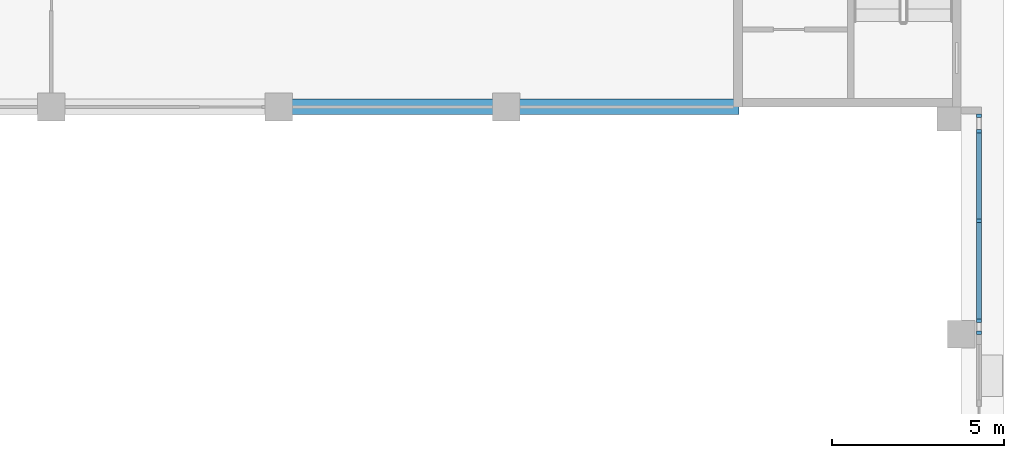
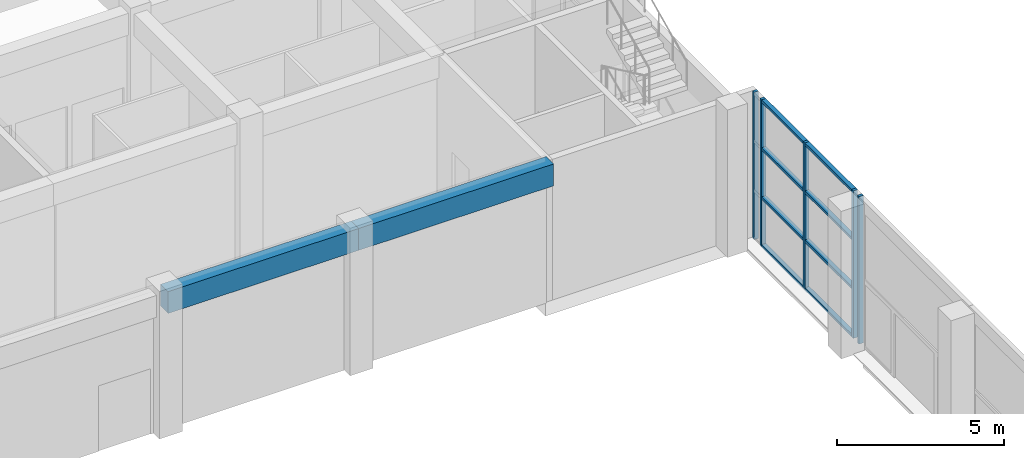
# One storey, part 12 of 85: 13 members, 2 beams, 1 element without a shape of its own.
"""IFC4 building model written with IfcOpenShell, lengths in metres."""

from ifc_helpers import new_model, si_unit, direction, frame, origin, origin_2d, place, context, subcontext, project, spatial, rectangle, extrude, material, material_profile, profile_set, type_object, element, aggregate, save


model = new_model("IFC4")

# Units and contexts
model_context = context("Model", 3, precision=1e-05, world=origin(), true_north=direction((0.0, 1.0)))
body_context = subcontext(model_context, "Body", "Model", "MODEL_VIEW")
ifc_project = project(units=[si_unit("LENGTHUNIT", "METRE"), si_unit("AREAUNIT", "SQUARE_METRE"), si_unit("VOLUMEUNIT", "CUBIC_METRE"), si_unit("PLANEANGLEUNIT", "RADIAN"), si_unit("MASSUNIT", "GRAM", prefix="KILO")], contexts=[model_context])

# Site, building, storey
site_placement = place(None, origin())
site = spatial("IfcSite", under=ifc_project, at=site_placement, CompositionType="ELEMENT")
building_placement = place(site_placement, origin())
building = spatial("IfcBuilding", under=site, at=building_placement, Name="Lantern Court Research Institute", CompositionType="ELEMENT")
storey_placement = place(building_placement, origin())
storey = spatial("IfcBuildingStorey", under=building, at=storey_placement, Name="L00", CompositionType="ELEMENT", Elevation=0.0)

# Beams
ifc_material_1 = material(Name="Concrete C40/50", Category="concrete")
ifc_material_profile_1 = material_profile(ifc_material_1, rectangle(XDim=0.449951171875, YDim=0.800048828125, at=origin_2d()), Name="Hall beam 450 x 800")
ifc_profile_set_1 = profile_set([ifc_material_profile_1], Name="Concrete C40/50")
beam_type = type_object("IfcBeamType", Name="Hall beam 450 x 800", PredefinedType="BEAM", material=ifc_profile_set_1)
beam_1_placement = place(storey_placement, frame((59.39990234375, 49.5, 4.75), z_axis=(1.0, 0.0, 0.0), x_axis=(0.0, 1.0, 0.0)))
element("IfcBeam", 1, at=beam_1_placement, inside=storey, type_object=beam_type, Name="Gallery beam L01", PredefinedType="BEAM", context=body_context, shape_type="SweptSolid", body=[
    extrude(rectangle(XDim=0.449951171875, YDim=0.800048828125, at=origin_2d()), origin(), (0.0, 0.0, 1.0), 6.60009765625),
])
beam_2_placement = place(storey_placement, frame((66.0, 49.5, 4.75), z_axis=(1.0, 0.0, 0.0), x_axis=(0.0, 1.0, 0.0)))
element("IfcBeam", 2, at=beam_2_placement, inside=storey, type_object=beam_type, Name="Gallery beam L01", PredefinedType="BEAM", context=body_context, shape_type="SweptSolid", body=[
    extrude(rectangle(XDim=0.449951171875, YDim=0.800048828125, at=origin_2d()), origin(), (0.0, 0.0, 1.0), 6.75),
])

# Curtain wall, members
ifc_material_2 = material(Name="Aluminium alloy 6063-T6", Category="aluminium")
curtain_wall_type = type_object("IfcCurtainWallType", Name="Curtain wall 6400 x 5400 x 150 aluminium frame", PredefinedType="NOTDEFINED", material=ifc_material_2)
curtain_wall_placement = place(storey_placement, origin())
curtain_wall = element("IfcCurtainWall", 3, at=curtain_wall_placement, inside=storey, type_object=curtain_wall_type, Name="Curtain wall CW002", PredefinedType="NOTDEFINED")
ifc_material_3 = material(Name="Aluminium alloy 6063-T6", Category="aluminium")
ifc_material_profile_2 = material_profile(ifc_material_3, rectangle(XDim=0.14990234375, YDim=0.10009765625, at=origin_2d()), Name="Mullion 150 x 100")
ifc_profile_set_2 = profile_set([ifc_material_profile_2], Name="Aluminium alloy 6063-T6")
member_type_1 = type_object("IfcMemberType", Name="Mullion 150 x 100 aluminium", PredefinedType="MULLION", material=ifc_profile_set_2)
member_1_placement = place(storey_placement, frame((79.72509765625, 42.949951171875, 0.0), z_axis=(0.0, 0.0, 1.0), x_axis=(1.0, 0.0, 0.0)))
member_1 = element("IfcMember", 4, at=member_1_placement, type_object=member_type_1, Name="CW002 mullion 1", PredefinedType="MULLION", context=body_context, shape_type="SweptSolid", body=[
    extrude(rectangle(XDim=0.14990234375, YDim=0.10009765625, at=origin_2d()), origin(), (0.0, 0.0, 1.0), 5.39990234375),
])
member_2_placement = place(storey_placement, frame((79.72509765625, 43.300048828125, 0.0), z_axis=(0.0, 0.0, 1.0), x_axis=(1.0, 0.0, 0.0)))
member_2 = element("IfcMember", 5, at=member_2_placement, type_object=member_type_1, Name="CW002 mullion 2", PredefinedType="MULLION", context=body_context, shape_type="SweptSolid", body=[
    extrude(rectangle(XDim=0.14990234375, YDim=0.10009765625, at=origin_2d()), origin(), (0.0, 0.0, 1.0), 5.39990234375),
])
member_3_placement = place(storey_placement, frame((79.72509765625, 46.199951171875, 0.0), z_axis=(0.0, 0.0, 1.0), x_axis=(1.0, 0.0, 0.0)))
member_3 = element("IfcMember", 6, at=member_3_placement, type_object=member_type_1, Name="CW002 mullion 3", PredefinedType="MULLION", context=body_context, shape_type="SweptSolid", body=[
    extrude(rectangle(XDim=0.14990234375, YDim=0.10009765625, at=origin_2d()), origin(), (0.0, 0.0, 1.0), 5.39990234375),
])
member_4_placement = place(storey_placement, frame((79.72509765625, 48.800048828125, 0.0), z_axis=(0.0, 0.0, 1.0), x_axis=(1.0, 0.0, 0.0)))
member_4 = element("IfcMember", 7, at=member_4_placement, type_object=member_type_1, Name="CW002 mullion 4", PredefinedType="MULLION", context=body_context, shape_type="SweptSolid", body=[
    extrude(rectangle(XDim=0.14990234375, YDim=0.10009765625, at=origin_2d()), origin(), (0.0, 0.0, 1.0), 5.39990234375),
])
member_5_placement = place(storey_placement, frame((79.72509765625, 49.25, 0.0), z_axis=(0.0, 0.0, 1.0), x_axis=(1.0, 0.0, 0.0)))
member_5 = element("IfcMember", 8, at=member_5_placement, type_object=member_type_1, Name="CW002 mullion 5", PredefinedType="MULLION", context=body_context, shape_type="SweptSolid", body=[
    extrude(rectangle(XDim=0.14990234375, YDim=0.10009765625, at=origin_2d()), origin(), (0.0, 0.0, 1.0), 5.39990234375),
])
ifc_material_4 = material(Name="Aluminium alloy 6063-T6", Category="aluminium")
ifc_material_profile_3 = material_profile(ifc_material_4, rectangle(XDim=0.14990234375, YDim=0.10009765625, at=origin_2d()), Name="Transom 150 x 100")
ifc_profile_set_3 = profile_set([ifc_material_profile_3], Name="Aluminium alloy 6063-T6")
member_type_2 = type_object("IfcMemberType", Name="Transom 150 x 100 aluminium", PredefinedType="USERDEFINED", material=ifc_profile_set_3)
member_6_placement = place(storey_placement, frame((79.72509765625, 46.14990234375, 0.050048828125), z_axis=(0.0, -1.0, 0.0), x_axis=(1.0, 0.0, 0.0)))
member_6 = element("IfcMember", 9, at=member_6_placement, type_object=member_type_2, Name="CW002 transom 2.1", ObjectType="TRANSOM", PredefinedType="USERDEFINED", context=body_context, shape_type="SweptSolid", body=[
    extrude(rectangle(XDim=0.14990234375, YDim=0.10009765625, at=origin_2d()), origin(), (0.0, 0.0, 1.0), 2.7998046875),
])
member_7_placement = place(storey_placement, frame((79.72509765625, 46.14990234375, 1.800048828125), z_axis=(0.0, -1.0, 0.0), x_axis=(1.0, 0.0, 0.0)))
member_7 = element("IfcMember", 10, at=member_7_placement, type_object=member_type_2, Name="CW002 transom 2.2", ObjectType="TRANSOM", PredefinedType="USERDEFINED", context=body_context, shape_type="SweptSolid", body=[
    extrude(rectangle(XDim=0.14990234375, YDim=0.10009765625, at=origin_2d()), origin(), (0.0, 0.0, 1.0), 2.7998046875),
])
member_8_placement = place(storey_placement, frame((79.72509765625, 46.14990234375, 3.60009765625), z_axis=(0.0, -1.0, 0.0), x_axis=(1.0, 0.0, 0.0)))
member_8 = element("IfcMember", 11, at=member_8_placement, type_object=member_type_2, Name="CW002 transom 2.3", ObjectType="TRANSOM", PredefinedType="USERDEFINED", context=body_context, shape_type="SweptSolid", body=[
    extrude(rectangle(XDim=0.14990234375, YDim=0.10009765625, at=origin_2d()), origin(), (0.0, 0.0, 1.0), 2.7998046875),
])
member_9_placement = place(storey_placement, frame((79.72509765625, 46.14990234375, 5.35009765625), z_axis=(0.0, -1.0, 0.0), x_axis=(1.0, 0.0, 0.0)))
member_9 = element("IfcMember", 12, at=member_9_placement, type_object=member_type_2, Name="CW002 transom 2.4", ObjectType="TRANSOM", PredefinedType="USERDEFINED", context=body_context, shape_type="SweptSolid", body=[
    extrude(rectangle(XDim=0.14990234375, YDim=0.10009765625, at=origin_2d()), origin(), (0.0, 0.0, 1.0), 2.7998046875),
])
member_10_placement = place(storey_placement, frame((79.72509765625, 48.75, 0.050048828125), z_axis=(0.0, -1.0, 0.0), x_axis=(1.0, 0.0, 0.0)))
member_10 = element("IfcMember", 13, at=member_10_placement, type_object=member_type_2, Name="CW002 transom 3.1", ObjectType="TRANSOM", PredefinedType="USERDEFINED", context=body_context, shape_type="SweptSolid", body=[
    extrude(rectangle(XDim=0.14990234375, YDim=0.10009765625, at=origin_2d()), origin(), (0.0, 0.0, 1.0), 2.5),
])
member_11_placement = place(storey_placement, frame((79.72509765625, 48.75, 1.800048828125), z_axis=(0.0, -1.0, 0.0), x_axis=(1.0, 0.0, 0.0)))
member_11 = element("IfcMember", 14, at=member_11_placement, type_object=member_type_2, Name="CW002 transom 3.2", ObjectType="TRANSOM", PredefinedType="USERDEFINED", context=body_context, shape_type="SweptSolid", body=[
    extrude(rectangle(XDim=0.14990234375, YDim=0.10009765625, at=origin_2d()), origin(), (0.0, 0.0, 1.0), 2.5),
])
member_12_placement = place(storey_placement, frame((79.72509765625, 48.75, 3.60009765625), z_axis=(0.0, -1.0, 0.0), x_axis=(1.0, 0.0, 0.0)))
member_12 = element("IfcMember", 15, at=member_12_placement, type_object=member_type_2, Name="CW002 transom 3.3", ObjectType="TRANSOM", PredefinedType="USERDEFINED", context=body_context, shape_type="SweptSolid", body=[
    extrude(rectangle(XDim=0.14990234375, YDim=0.10009765625, at=origin_2d()), origin(), (0.0, 0.0, 1.0), 2.5),
])
member_13_placement = place(storey_placement, frame((79.72509765625, 48.75, 5.35009765625), z_axis=(0.0, -1.0, 0.0), x_axis=(1.0, 0.0, 0.0)))
member_13 = element("IfcMember", 16, at=member_13_placement, type_object=member_type_2, Name="CW002 transom 3.4", ObjectType="TRANSOM", PredefinedType="USERDEFINED", context=body_context, shape_type="SweptSolid", body=[
    extrude(rectangle(XDim=0.14990234375, YDim=0.10009765625, at=origin_2d()), origin(), (0.0, 0.0, 1.0), 2.5),
])
aggregate(curtain_wall, [member_1, member_2, member_3, member_4, member_5, member_6, member_7, member_8, member_9, member_10, member_11, member_12, member_13])

save(model, "model.ifc")
